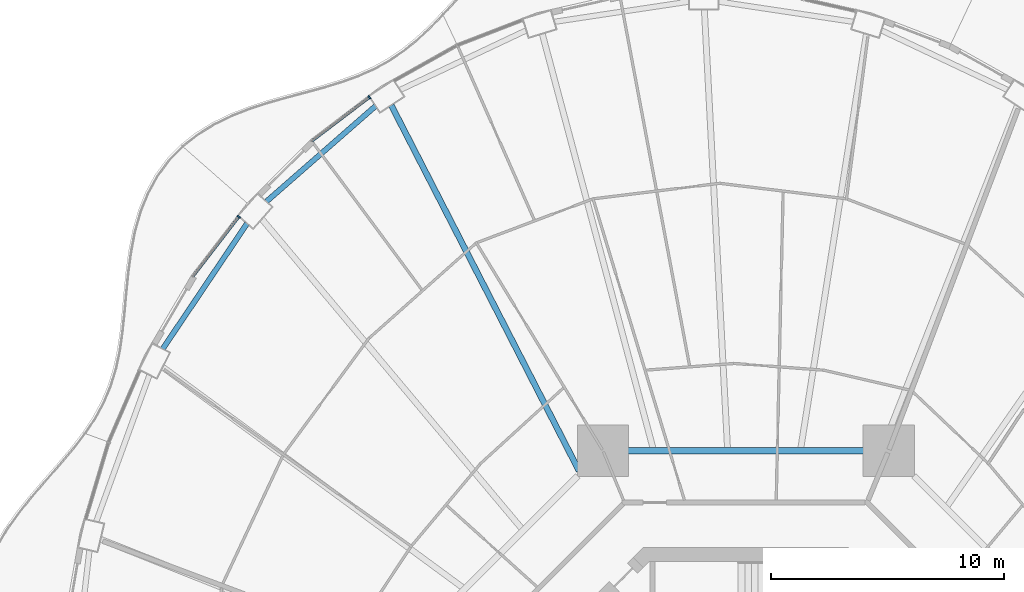
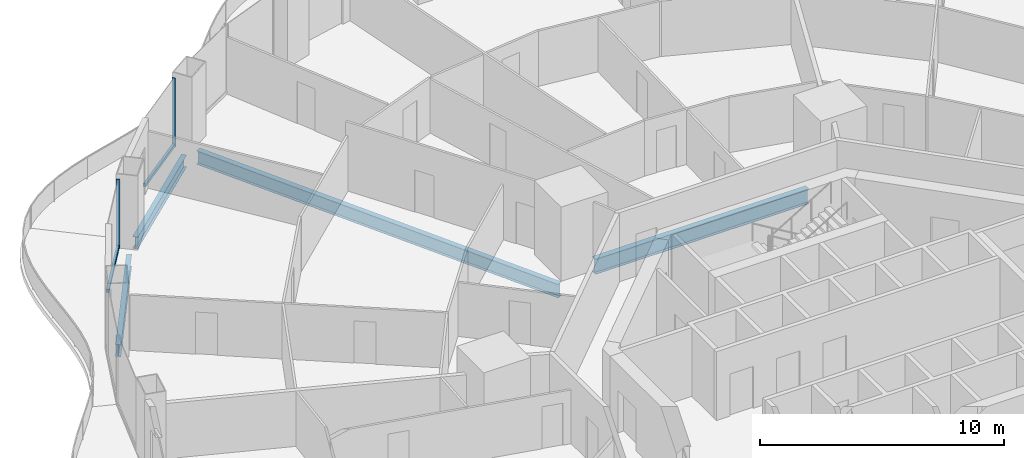
# One storey, part 8 of 22: 4 beams, 4 members, 2 elements without a shape of their own.
"""IFC4 building model written with IfcOpenShell, lengths in metres."""

from ifc_helpers import new_model, si_unit, direction, frame, origin, origin_2d, place, context, subcontext, project, spatial, rectangle, i_section, extrude, material, layer, layer_set, material_profile, profile_set, type_object, element, aggregate, save


model = new_model("IFC4")

# Units and contexts
model_context = context("Model", 3, precision=1e-05, world=origin(), true_north=direction((0.0, 1.0)))
body_context = subcontext(model_context, "Body", "Model", "MODEL_VIEW")
ifc_project = project(units=[si_unit("LENGTHUNIT", "METRE"), si_unit("AREAUNIT", "SQUARE_METRE"), si_unit("VOLUMEUNIT", "CUBIC_METRE"), si_unit("PLANEANGLEUNIT", "RADIAN"), si_unit("MASSUNIT", "GRAM", prefix="KILO")], contexts=[model_context])

# Site, building, storey
site_placement = place(None, origin())
site = spatial("IfcSite", under=ifc_project, at=site_placement, CompositionType="ELEMENT")
building_placement = place(site_placement, origin())
building = spatial("IfcBuilding", under=site, at=building_placement, Name="Nagisa Residences", CompositionType="ELEMENT")
storey_placement = place(building_placement, frame((0.0, 0.0, 84.39990234375)))
storey = spatial("IfcBuildingStorey", under=building, at=storey_placement, Name="L20", CompositionType="ELEMENT", Elevation=84.39990234375)

# Curtain wall, member
ifc_material_1 = material(Name="Concrete-coloured aluminium curtain wall system", Category="concrete")
ifc_layer = layer(ifc_material_1, 0.159912109375)
ifc_layer_set = layer_set([ifc_layer], Name="CW1 CURTAIN WALL")
curtain_wall_type = type_object("IfcCurtainWallType", Name="CW1 CURTAIN WALL", PredefinedType="NOTDEFINED", material=ifc_layer_set)
curtain_wall_1_placement = place(storey_placement, origin())
curtain_wall_1 = element("IfcCurtainWall", 1, at=curtain_wall_1_placement, inside=storey, type_object=curtain_wall_type, Name="cw:CW1:L20:16", PredefinedType="NOTDEFINED")
ifc_material_2 = material(Name="Concrete-coloured aluminium", Category="concrete")
ifc_material_profile_1 = material_profile(ifc_material_2, rectangle(XDim=0.159912109375, YDim=0.06005859375, at=origin_2d()), Name="CW1 MULLION 160x60")
ifc_profile_set_1 = profile_set([ifc_material_profile_1], Name="Concrete-coloured aluminium")
member_type_1 = type_object("IfcMemberType", Name="CW1 MULLION 160x60", PredefinedType="MULLION", material=ifc_profile_set_1)
member_1_placement = place(storey_placement, frame((-16.140380859375, 29.935302734375, 0.0), z_axis=(0.0, 0.0, 1.0), x_axis=(0.605255421737, -0.79603132756, 0.0)))
member_1 = element("IfcMember", 2, at=member_1_placement, type_object=member_type_1, Name="CW1 mullion", PredefinedType="MULLION", context=body_context, shape_type="SweptSolid", body=[
    extrude(rectangle(XDim=0.159912109375, YDim=0.06005859375, at=origin_2d()), origin(), (0.0, 0.0, 1.0), 3.440185546875),
])

curtain_wall_2_placement = place(storey_placement, origin())
curtain_wall_2 = element("IfcCurtainWall", 3, at=curtain_wall_2_placement, inside=storey, type_object=curtain_wall_type, Name="cw:CW1:L20:18", PredefinedType="NOTDEFINED")
member_2_placement = place(storey_placement, frame((-21.735107421875, 24.814697265625, 0.0), z_axis=(0.0, 0.0, 1.0), x_axis=(0.792070340816, -0.610429828235, 0.0)))
member_2 = element("IfcMember", 4, at=member_2_placement, type_object=member_type_1, Name="CW1 mullion", PredefinedType="MULLION", context=body_context, shape_type="SweptSolid", body=[
    extrude(rectangle(XDim=0.159912109375, YDim=0.06005859375, at=origin_2d()), origin(), (0.0, 0.0, 1.0), 3.440185546875),
])

# Member
ifc_material_3 = material(Name="Concrete-coloured aluminium", Category="concrete")
ifc_material_profile_2 = material_profile(ifc_material_3, rectangle(XDim=0.1201171875, YDim=0.14990234375, at=origin_2d()), Name="CW1 TRANSOM 120x150")
ifc_profile_set_2 = profile_set([ifc_material_profile_2], Name="Concrete-coloured aluminium")
member_type_2 = type_object("IfcMemberType", Name="CW1 TRANSOM 120x150", PredefinedType="USERDEFINED", material=ifc_profile_set_2)
member_3_placement = place(storey_placement, frame((-16.116455078125, 29.953369140625, 0.0751953125), z_axis=(-0.796066111963, -0.605209670598, 0.0), x_axis=(0.605209670598, -0.796066111963, 0.0)))
member_3 = element("IfcMember", 5, at=member_3_placement, type_object=member_type_2, Name="CW1 transom", ObjectType="TRANSOM", PredefinedType="USERDEFINED", context=body_context, shape_type="SweptSolid", body=[
    extrude(rectangle(XDim=0.1201171875, YDim=0.14990234375, at=origin_2d()), origin(), (0.0, 0.0, 1.0), 3.134033203125),
])

aggregate(curtain_wall_1, [member_1, member_3])

member_4_placement = place(storey_placement, frame((-21.716796875, 24.83837890625, 0.0751953125), z_axis=(-0.61041202934, -0.792084057684, 0.0), x_axis=(0.792084057684, -0.61041202934, 0.0)))
member_4 = element("IfcMember", 6, at=member_4_placement, type_object=member_type_2, Name="CW1 transom", ObjectType="TRANSOM", PredefinedType="USERDEFINED", context=body_context, shape_type="SweptSolid", body=[
    extrude(rectangle(XDim=0.1201171875, YDim=0.14990234375, at=origin_2d()), origin(), (0.0, 0.0, 1.0), 3.262939453125),
])

aggregate(curtain_wall_2, [member_2, member_4])

# Beams
ifc_material_4 = material(Name="Steel ASTM A572 Gr 50", Category="steel")
ifc_material_profile_3 = material_profile(ifc_material_4, i_section(OverallWidth=0.264892578125, OverallDepth=0.7529296875, WebThickness=0.01318359375, FlangeThickness=0.01708984375, at=origin_2d()), Name="W760x147")
ifc_profile_set_3 = profile_set([ifc_material_profile_3], Name="Steel ASTM A572 Gr 50")
beam_type_1 = type_object("IfcBeamType", Name="Inner ring beam W760x147", PredefinedType="BEAM", material=ifc_profile_set_3)
beam_1_placement = place(storey_placement, frame((5.04296875, 14.781982421875, -0.636474609375), z_axis=(-1.0, 0.0, 0.0), x_axis=(0.0, -1.0, 0.0)))
element("IfcBeam", 7, at=beam_1_placement, inside=storey, type_object=beam_type_1, Name="beam:L20:ib2", PredefinedType="BEAM", context=body_context, shape_type="SweptSolid", body=[
    extrude(i_section(OverallWidth=0.264892578125, OverallDepth=0.7529296875, WebThickness=0.01318359375, FlangeThickness=0.01708984375, at=origin_2d()), origin(), (0.0, 0.0, 1.0), 10.0859375),
])
ifc_material_5 = material(Name="Steel ASTM A572 Gr 50", Category="steel")
ifc_material_profile_4 = material_profile(ifc_material_5, i_section(OverallWidth=0.22802734375, OverallDepth=0.60302734375, WebThickness=0.010498046875, FlangeThickness=0.014892578125, at=origin_2d()), Name="W610x101")
ifc_profile_set_4 = profile_set([ifc_material_profile_4], Name="Steel ASTM A572 Gr 50")
beam_type_2 = type_object("IfcBeamType", Name="Perimeter ring beam W610x101", PredefinedType="BEAM", material=ifc_profile_set_4)
beam_2_placement = place(storey_placement, frame((-15.876220703125, 29.55859375, -0.5615234375), z_axis=(-0.752542612886, -0.658543556488, 0.0), x_axis=(0.658543556488, -0.752542612886, 0.0)))
element("IfcBeam", 8, at=beam_2_placement, inside=storey, type_object=beam_type_2, Name="beam:L20:pb09", PredefinedType="BEAM", context=body_context, shape_type="SweptSolid", body=[
    extrude(i_section(OverallWidth=0.22802734375, OverallDepth=0.60302734375, WebThickness=0.010498046875, FlangeThickness=0.014892578125, at=origin_2d()), origin(), (0.0, 0.0, 1.0), 6.212646484375),
])
beam_3_placement = place(storey_placement, frame((-21.384521484375, 24.521484375, -0.5615234375), z_axis=(-0.558221079259, -0.829692248168, 0.0), x_axis=(0.829692248168, -0.558221079259, 0.0)))
element("IfcBeam", 9, at=beam_3_placement, inside=storey, type_object=beam_type_2, Name="beam:L20:pb10", PredefinedType="BEAM", context=body_context, shape_type="SweptSolid", body=[
    extrude(i_section(OverallWidth=0.22802734375, OverallDepth=0.60302734375, WebThickness=0.010498046875, FlangeThickness=0.014892578125, at=origin_2d()), origin(), (0.0, 0.0, 1.0), 6.471435546875),
])
ifc_material_6 = material(Name="Steel ASTM A572 Gr 50", Category="steel")
ifc_material_profile_5 = material_profile(ifc_material_6, i_section(OverallWidth=0.2529296875, OverallDepth=0.677978515625, WebThickness=0.01171875, FlangeThickness=0.016357421875, at=origin_2d()), Name="W690x125")
ifc_profile_set_5 = profile_set([ifc_material_profile_5], Name="Steel ASTM A572 Gr 50")
beam_type_3 = type_object("IfcBeamType", Name="Radial beam W690x125", PredefinedType="BEAM", material=ifc_profile_set_5)
beam_4_placement = place(storey_placement, frame((-15.199951171875, 29.5927734375, -0.598876953125), z_axis=(0.456890609608, -0.889522889448, 0.0), x_axis=(0.889522889448, 0.456890609608, 0.0)))
element("IfcBeam", 10, at=beam_4_placement, inside=storey, type_object=beam_type_3, Name="beam:L20:rb09", PredefinedType="BEAM", context=body_context, shape_type="SweptSolid", body=[
    extrude(i_section(OverallWidth=0.2529296875, OverallDepth=0.677978515625, WebThickness=0.01171875, FlangeThickness=0.016357421875, at=origin_2d()), origin(), (0.0, 0.0, 1.0), 17.622314453125),
])

save(model, "model.ifc")
